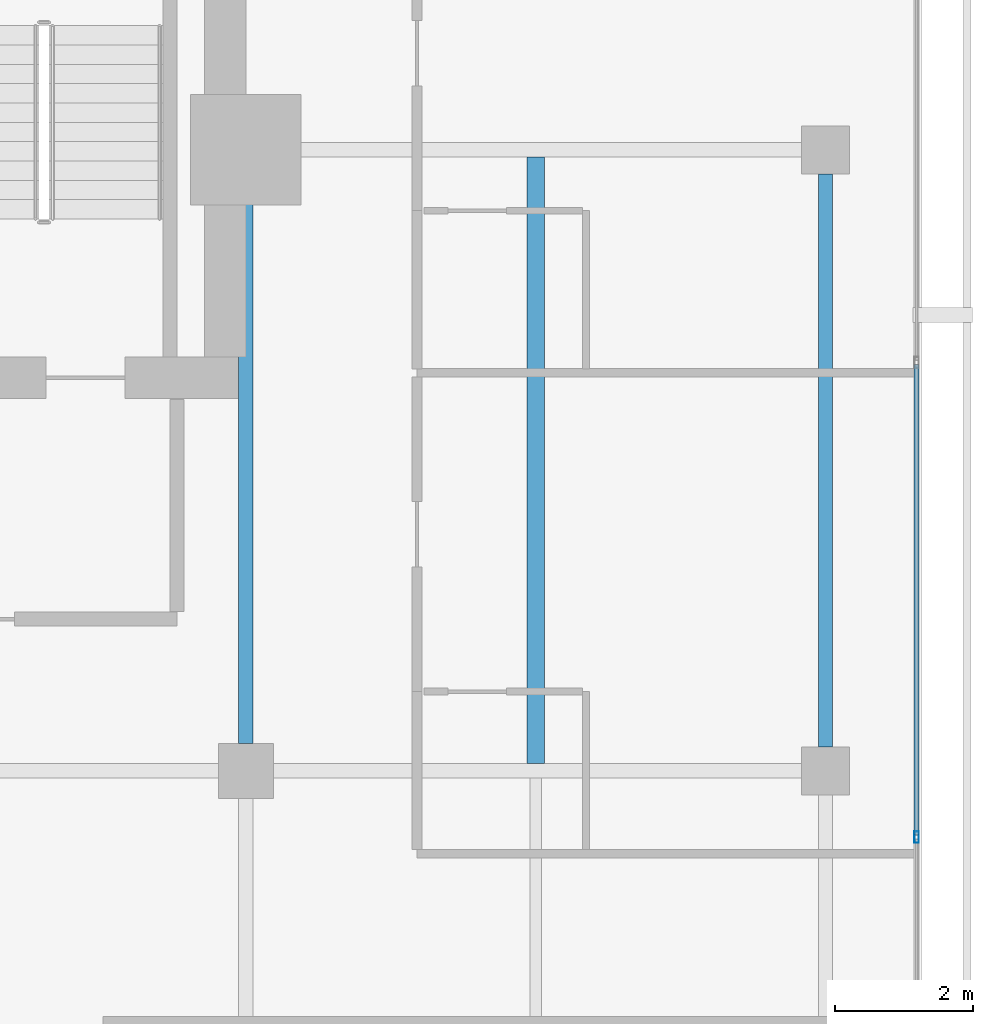
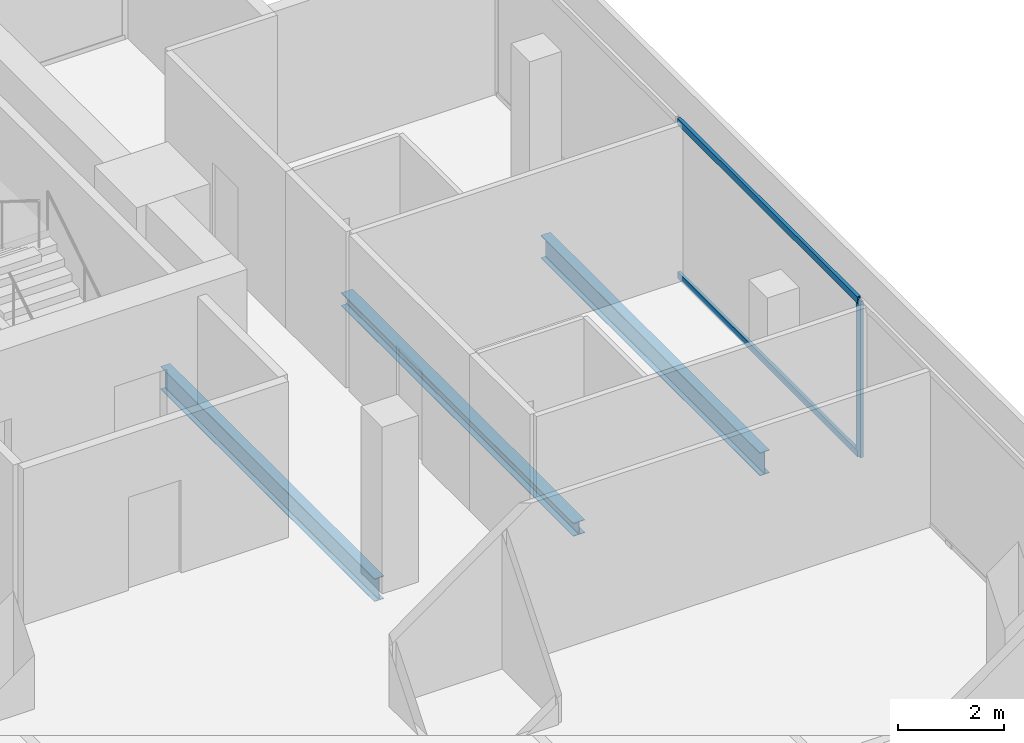
# One storey, part 15 of 25: 3 beams, 3 members, 1 element without a shape of its own.
"""IFC4 building model written with IfcOpenShell, lengths in metres."""

from ifc_helpers import new_model, si_unit, direction, frame, origin, origin_2d, place, context, subcontext, project, spatial, hollow_rectangle, i_section, extrude, material, layer, layer_set, material_profile, profile_set, type_object, element, aggregate, save


model = new_model("IFC4")

# Units and contexts
model_context = context("Model", 3, precision=1e-05, world=origin(), true_north=direction((0.0, 1.0)))
body_context = subcontext(model_context, "Body", "Model", "MODEL_VIEW")
ifc_project = project(units=[si_unit("LENGTHUNIT", "METRE"), si_unit("AREAUNIT", "SQUARE_METRE"), si_unit("VOLUMEUNIT", "CUBIC_METRE"), si_unit("PLANEANGLEUNIT", "RADIAN"), si_unit("MASSUNIT", "GRAM", prefix="KILO")], contexts=[model_context])

# Site, building, storey
site_placement = place(None, origin())
site = spatial("IfcSite", under=ifc_project, at=site_placement, CompositionType="ELEMENT")
building_placement = place(site_placement, origin())
building = spatial("IfcBuilding", under=site, at=building_placement, Name="Maruvema Waterfront Hotel and Observation Tower", CompositionType="ELEMENT")
storey_placement = place(building_placement, frame((0.0, 0.0, 262.5)))
storey = spatial("IfcBuildingStorey", under=building, at=storey_placement, Name="L64", CompositionType="ELEMENT", Elevation=262.5)

# Curtain wall, members
ifc_material_1 = material(Name="Anodised bronze aluminium and solar-control low-E IGU", Category="aluminium")
ifc_layer = layer(ifc_material_1, 0.159912109375, Name="Zone 3 Champagne Inner Thermal Curtain Wall System CW-04")
ifc_layer_set = layer_set([ifc_layer], Name="Anodised bronze aluminium and solar-control low-E IGU")
curtain_wall_type = type_object("IfcCurtainWallType", Name="Zone 3 Champagne Inner Thermal Curtain Wall System CW-04", PredefinedType="USERDEFINED", material=ifc_layer_set)
curtain_wall_placement = place(storey_placement, origin())
curtain_wall = element("IfcCurtainWall", 1, at=curtain_wall_placement, inside=storey, type_object=curtain_wall_type, Name="L64 Curtain Wall CW-L64-E", ObjectType="UNITISED CURTAIN WALL", PredefinedType="USERDEFINED")
ifc_material_2 = material(Name="Anodised architectural bronze aluminium", Category="aluminium")
ifc_material_profile_1 = material_profile(ifc_material_2, hollow_rectangle(XDim=0.070068359375, YDim=0.14990234375, WallThickness=0.00390625, at=origin_2d()), Name="ALU-T70x150")
ifc_profile_set_1 = profile_set([ifc_material_profile_1], Name="Anodised architectural bronze aluminium")
member_type_1 = type_object("IfcMemberType", Name="Curtain Wall Horizontal Transom ALU-T70x150", PredefinedType="USERDEFINED", material=ifc_profile_set_1)
member_1_placement = place(storey_placement, frame((60.1201171875, 35.070068359375, 0.030029296875), z_axis=(0.0, 1.0, 0.0), x_axis=(-1.0, 0.0, 0.0)))
member_1 = element("IfcMember", 2, at=member_1_placement, type_object=member_type_1, Name="CW-04 transom 4.1", ObjectType="TRANSOM", PredefinedType="USERDEFINED", context=body_context, shape_type="SweptSolid", body=[
    extrude(hollow_rectangle(XDim=0.070068359375, YDim=0.14990234375, WallThickness=0.00390625, at=origin_2d()), origin(), (0.0, 0.0, 1.0), 6.81982421875),
])
member_2_placement = place(storey_placement, frame((60.1201171875, 35.070068359375, 3.580078125), z_axis=(0.0, 1.0, 0.0), x_axis=(-1.0, 0.0, 0.0)))
member_2 = element("IfcMember", 3, at=member_2_placement, type_object=member_type_1, Name="CW-04 transom 4.2", ObjectType="TRANSOM", PredefinedType="USERDEFINED", context=body_context, shape_type="SweptSolid", body=[
    extrude(hollow_rectangle(XDim=0.070068359375, YDim=0.14990234375, WallThickness=0.00390625, at=origin_2d()), origin(), (0.0, 0.0, 1.0), 6.81982421875),
])
ifc_material_3 = material(Name="Anodised architectural bronze aluminium", Category="aluminium")
ifc_material_profile_2 = material_profile(ifc_material_3, hollow_rectangle(XDim=0.06494140625, YDim=0.1650390625, WallThickness=0.00390625, at=origin_2d()), Name="ALU-M65x165")
ifc_profile_set_2 = profile_set([ifc_material_profile_2], Name="Anodised architectural bronze aluminium")
member_type_2 = type_object("IfcMemberType", Name="Curtain Wall Primary Mullion ALU-M65x165", PredefinedType="MULLION", material=ifc_profile_set_2)
member_3_placement = place(storey_placement, frame((60.1201171875, 35.0400390625, 0.0), z_axis=(0.0, 0.0, 1.0), x_axis=(-1.0, 0.0, 0.0)))
member_3 = element("IfcMember", 4, at=member_3_placement, type_object=member_type_2, Name="CW-04 mullion 4", PredefinedType="MULLION", context=body_context, shape_type="SweptSolid", body=[
    extrude(hollow_rectangle(XDim=0.06494140625, YDim=0.1650390625, WallThickness=0.00390625, at=origin_2d()), origin(), (0.0, 0.0, 1.0), 3.610107421875),
])
aggregate(curtain_wall, [member_3, member_1, member_2])

# Beams
ifc_material_4 = material(Name="Steel ASTM A572 Grade 50", Category="steel")
ifc_material_profile_3 = material_profile(ifc_material_4, i_section(OverallWidth=0.208984375, OverallDepth=0.532958984375, WebThickness=0.01025390625, FlangeThickness=0.015625, FilletRadius=0.014892578125, at=origin_2d()), Name="W530x92.0")
ifc_profile_set_3 = profile_set([ifc_material_profile_3], Name="Steel ASTM A572 Grade 50")
beam_type_1 = type_object("IfcBeamType", Name="Primary Floor Girder W530x92.0", PredefinedType="BEAM", material=ifc_profile_set_3)
beam_1_placement = place(storey_placement, frame((50.39990234375, 36.39990234375, -0.506591796875), z_axis=(0.0, 1.0, 0.0), x_axis=(-1.0, 0.0, 0.0)))
element("IfcBeam", 5, at=beam_1_placement, inside=storey, type_object=beam_type_1, Name="L64 Floor Girder NS-15", PredefinedType="BEAM", context=body_context, shape_type="SweptSolid", body=[
    extrude(i_section(OverallWidth=0.208984375, OverallDepth=0.532958984375, WebThickness=0.01025390625, FlangeThickness=0.015625, FilletRadius=0.014892578125, at=origin_2d()), origin(), (0.0, 0.0, 1.0), 8.10009765625),
])
beam_2_placement = place(storey_placement, frame((58.800048828125, 36.35009765625, -0.506591796875), z_axis=(0.0, 1.0, 0.0), x_axis=(-1.0, 0.0, 0.0)))
element("IfcBeam", 6, at=beam_2_placement, inside=storey, type_object=beam_type_1, Name="L64 Floor Girder NS-18", PredefinedType="BEAM", context=body_context, shape_type="SweptSolid", body=[
    extrude(i_section(OverallWidth=0.208984375, OverallDepth=0.532958984375, WebThickness=0.01025390625, FlangeThickness=0.015625, FilletRadius=0.014892578125, at=origin_2d()), origin(), (0.0, 0.0, 1.0), 8.2998046875),
])
ifc_material_5 = material(Name="Steel ASTM A572 Grade 50", Category="steel")
ifc_material_profile_4 = material_profile(ifc_material_5, i_section(OverallWidth=0.25390625, OverallDepth=0.305908203125, WebThickness=0.0087890625, FlangeThickness=0.0146484375, FilletRadius=0.014892578125, at=origin_2d()), Name="W310x79.0")
ifc_profile_set_4 = profile_set([ifc_material_profile_4], Name="Steel ASTM A572 Grade 50")
beam_type_2 = type_object("IfcBeamType", Name="Secondary Floor Joist W310x79.0", PredefinedType="JOIST", material=ifc_profile_set_4)
beam_3_placement = place(storey_placement, frame((54.60009765625, 36.1044921875, -0.39306640625), z_axis=(0.0, 1.0, 0.0), x_axis=(-1.0, 0.0, 0.0)))
element("IfcBeam", 7, at=beam_3_placement, inside=storey, type_object=beam_type_2, Name="L64 Secondary Floor Joist JS-09", PredefinedType="JOIST", context=body_context, shape_type="SweptSolid", body=[
    extrude(i_section(OverallWidth=0.25390625, OverallDepth=0.305908203125, WebThickness=0.0087890625, FlangeThickness=0.0146484375, FilletRadius=0.014892578125, at=origin_2d()), origin(), (0.0, 0.0, 1.0), 8.791015625),
])

save(model, "model.ifc")
